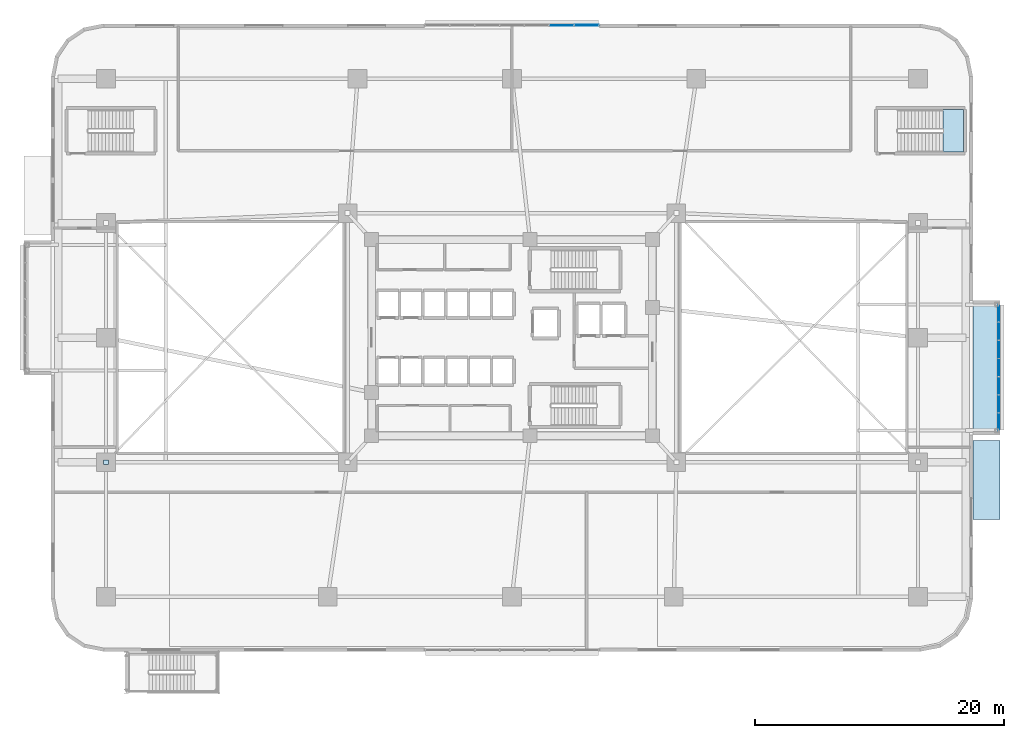
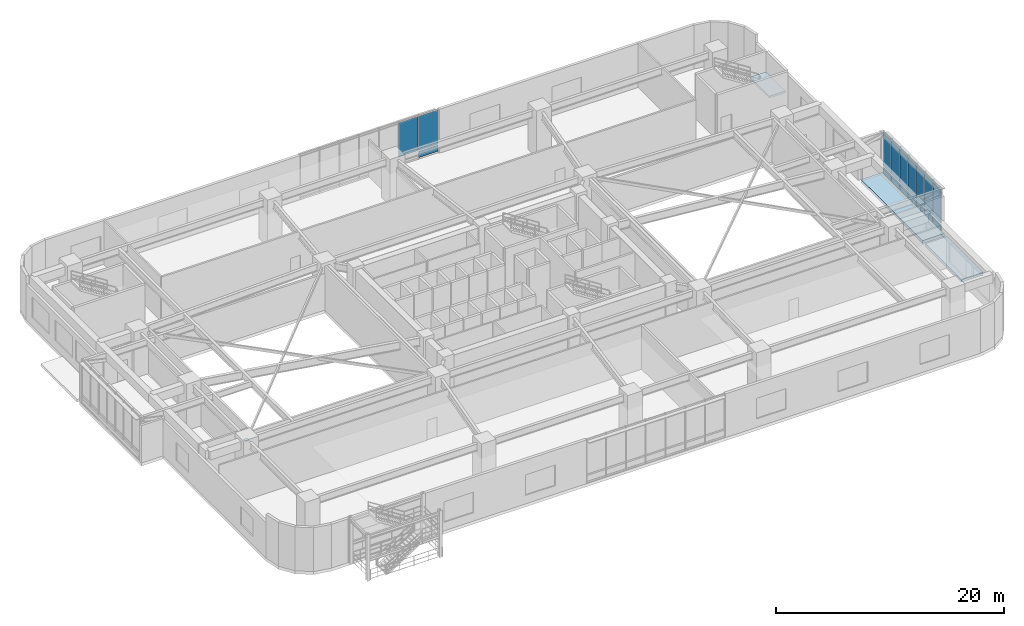
# One storey, part 16 of 26: 18 plates, 3 slabs, 3 elements without a shape of their own.
"""IFC4 building model written with IfcOpenShell, lengths in metres."""

from ifc_helpers import new_model, si_unit, direction, frame, origin, origin_2d, place, context, subcontext, project, spatial, polyline, rectangle, outline, extrude, material, layer, layer_set, type_object, element, aggregate, save


model = new_model("IFC4")

# Units and contexts
model_context = context("Model", 3, precision=1e-05, world=origin(), true_north=direction((0.0, 1.0)))
body_context = subcontext(model_context, "Body", "Model", "MODEL_VIEW")
ifc_project = project(units=[si_unit("LENGTHUNIT", "METRE"), si_unit("AREAUNIT", "SQUARE_METRE"), si_unit("VOLUMEUNIT", "CUBIC_METRE"), si_unit("PLANEANGLEUNIT", "RADIAN"), si_unit("MASSUNIT", "GRAM", prefix="KILO")], contexts=[model_context])

# Site, building, storey
site_placement = place(None, origin())
site = spatial("IfcSite", under=ifc_project, at=site_placement, CompositionType="ELEMENT")
building_placement = place(site_placement, origin())
building = spatial("IfcBuilding", under=site, at=building_placement, Name="Zulverin Broadcast Headquarters", CompositionType="ELEMENT")
storey_placement = place(building_placement, frame((0.0, 0.0, 15.0)))
storey = spatial("IfcBuildingStorey", under=building, at=storey_placement, Name="L03", CompositionType="ELEMENT", Elevation=15.0)

# Curtain wall, plates
ifc_material_1 = material(Name="Pale-metal unitised podium curtain wall", Category="aluminium")
curtain_wall_type_1 = type_object("IfcCurtainWallType", Name="CW-POD", PredefinedType="USERDEFINED", material=ifc_material_1)
curtain_wall_1_placement = place(storey_placement, origin())
curtain_wall_1 = element("IfcCurtainWall", 1, at=curtain_wall_1_placement, inside=storey, type_object=curtain_wall_type_1, Name="L03 Unitised Curtain Wall CW-L03-N2", ObjectType="UNITISED CURTAIN WALL", PredefinedType="USERDEFINED")
ifc_material_2 = material(Name="Low-E double-glazed pale-silver vision glass", Category="glass")
ifc_layer_1 = layer(ifc_material_2, 0.035888671875, Name="Low-E double-glazed pale-silver vision glass", Category="glass")
ifc_layer_set_1 = layer_set([ifc_layer_1], Name="Low-E double-glazed pale-silver vision glass")
plate_type_1 = type_object("IfcPlateType", Name="CW-PNL-GLZ", PredefinedType="CURTAIN_PANEL", material=ifc_layer_set_1)
plate_1_placement = place(storey_placement, frame((43.0, 50.280029296875, 0.9150390625), z_axis=(0.0, 0.0, 1.0), x_axis=(-1.0, 0.0, 0.0)))
plate_1 = element("IfcPlate", 2, at=plate_1_placement, type_object=plate_type_1, Name="CW-L03-N2 Vision Panel 00", PredefinedType="CURTAIN_PANEL", context=body_context, shape_type="SweptSolid", body=[
    extrude(rectangle(XDim=1.9599609375, YDim=0.035888671875, at=origin_2d()), origin(), (0.0, 0.0, 1.0), 3.625),
])
plate_2_placement = place(storey_placement, frame((41.0, 50.280029296875, 0.9150390625), z_axis=(0.0, 0.0, 1.0), x_axis=(-1.0, 0.0, 0.0)))
plate_2 = element("IfcPlate", 3, at=plate_2_placement, type_object=plate_type_1, Name="CW-L03-N2 Vision Panel 01", PredefinedType="CURTAIN_PANEL", context=body_context, shape_type="SweptSolid", body=[
    extrude(rectangle(XDim=1.9599609375, YDim=0.035888671875, at=origin_2d()), origin(), (0.0, 0.0, 1.0), 3.625),
])

ifc_material_3 = material(Name="Acoustic triple-glazed studio box curtain wall", Category="aluminium")
curtain_wall_type_2 = type_object("IfcCurtainWallType", Name="CW-SBOX", PredefinedType="USERDEFINED", material=ifc_material_3)
curtain_wall_2_placement = place(storey_placement, origin())
curtain_wall_2 = element("IfcCurtainWall", 4, at=curtain_wall_2_placement, inside=storey, type_object=curtain_wall_type_2, Name="L03 Unitised Curtain Wall CW-L03-SBOX_POD_UPPER_E1-F", ObjectType="UNITISED CURTAIN WALL", PredefinedType="USERDEFINED")
plate_3_placement = place(storey_placement, frame((76.080078125, 18.44580078125, 0.9150390625), z_axis=(0.0, 0.0, 1.0), x_axis=(0.0, 1.0, 0.0)))
plate_3 = element("IfcPlate", 5, at=plate_3_placement, type_object=plate_type_1, Name="CW-L03-SBOX_POD_UPPER_E1-F Vision Panel 00", PredefinedType="CURTAIN_PANEL", context=body_context, shape_type="SweptSolid", body=[
    extrude(rectangle(XDim=1.411376953125, YDim=0.035888671875, at=origin_2d()), origin(), (0.0, 0.0, 1.0), 3.625),
])
plate_4_placement = place(storey_placement, frame((76.080078125, 19.897216796875, 0.9150390625), z_axis=(0.0, 0.0, 1.0), x_axis=(0.0, 1.0, 0.0)))
plate_4 = element("IfcPlate", 6, at=plate_4_placement, type_object=plate_type_1, Name="CW-L03-SBOX_POD_UPPER_E1-F Vision Panel 01", PredefinedType="CURTAIN_PANEL", context=body_context, shape_type="SweptSolid", body=[
    extrude(rectangle(XDim=1.411376953125, YDim=0.035888671875, at=origin_2d()), origin(), (0.0, 0.0, 1.0), 3.625),
])
plate_5_placement = place(storey_placement, frame((76.080078125, 21.3486328125, 0.9150390625), z_axis=(0.0, 0.0, 1.0), x_axis=(0.0, 1.0, 0.0)))
plate_5 = element("IfcPlate", 7, at=plate_5_placement, type_object=plate_type_1, Name="CW-L03-SBOX_POD_UPPER_E1-F Vision Panel 02", PredefinedType="CURTAIN_PANEL", context=body_context, shape_type="SweptSolid", body=[
    extrude(rectangle(XDim=1.411376953125, YDim=0.035888671875, at=origin_2d()), origin(), (0.0, 0.0, 1.0), 3.625),
])
plate_6_placement = place(storey_placement, frame((76.080078125, 22.800048828125, 0.9150390625), z_axis=(0.0, 0.0, 1.0), x_axis=(0.0, 1.0, 0.0)))
plate_6 = element("IfcPlate", 8, at=plate_6_placement, type_object=plate_type_1, Name="CW-L03-SBOX_POD_UPPER_E1-F Vision Panel 03", PredefinedType="CURTAIN_PANEL", context=body_context, shape_type="SweptSolid", body=[
    extrude(rectangle(XDim=1.411376953125, YDim=0.035888671875, at=origin_2d()), origin(), (0.0, 0.0, 1.0), 3.625),
])
plate_7_placement = place(storey_placement, frame((76.080078125, 24.25146484375, 0.9150390625), z_axis=(0.0, 0.0, 1.0), x_axis=(0.0, 1.0, 0.0)))
plate_7 = element("IfcPlate", 9, at=plate_7_placement, type_object=plate_type_1, Name="CW-L03-SBOX_POD_UPPER_E1-F Vision Panel 04", PredefinedType="CURTAIN_PANEL", context=body_context, shape_type="SweptSolid", body=[
    extrude(rectangle(XDim=1.411376953125, YDim=0.035888671875, at=origin_2d()), origin(), (0.0, 0.0, 1.0), 3.625),
])
plate_8_placement = place(storey_placement, frame((76.080078125, 25.702880859375, 0.9150390625), z_axis=(0.0, 0.0, 1.0), x_axis=(0.0, 1.0, 0.0)))
plate_8 = element("IfcPlate", 10, at=plate_8_placement, type_object=plate_type_1, Name="CW-L03-SBOX_POD_UPPER_E1-F Vision Panel 05", PredefinedType="CURTAIN_PANEL", context=body_context, shape_type="SweptSolid", body=[
    extrude(rectangle(XDim=1.411376953125, YDim=0.035888671875, at=origin_2d()), origin(), (0.0, 0.0, 1.0), 3.625),
])
plate_9_placement = place(storey_placement, frame((76.080078125, 27.154296875, 0.9150390625), z_axis=(0.0, 0.0, 1.0), x_axis=(0.0, 1.0, 0.0)))
plate_9 = element("IfcPlate", 11, at=plate_9_placement, type_object=plate_type_1, Name="CW-L03-SBOX_POD_UPPER_E1-F Vision Panel 06", PredefinedType="CURTAIN_PANEL", context=body_context, shape_type="SweptSolid", body=[
    extrude(rectangle(XDim=1.411376953125, YDim=0.035888671875, at=origin_2d()), origin(), (0.0, 0.0, 1.0), 3.625),
])

# Plate
ifc_material_4 = material(Name="Insulated brushed pale-aluminium spandrel cassette", Category="aluminium")
ifc_layer_2 = layer(ifc_material_4, 0.050048828125, Name="Insulated brushed pale-aluminium spandrel cassette", Category="aluminium")
ifc_layer_set_2 = layer_set([ifc_layer_2], Name="Insulated brushed pale-aluminium spandrel cassette")
plate_type_2 = type_object("IfcPlateType", Name="CW-PNL-SPN", PredefinedType="CURTAIN_PANEL", material=ifc_layer_set_2)
plate_10_placement = place(storey_placement, frame((43.0, 50.280029296875, 0.139892578125), z_axis=(0.0, 0.0, 1.0), x_axis=(-1.0, 0.0, 0.0)))
plate_10 = element("IfcPlate", 12, at=plate_10_placement, type_object=plate_type_2, Name="CW-L03-N2 Spandrel Cassette 00", PredefinedType="CURTAIN_PANEL", context=body_context, shape_type="SweptSolid", body=[
    extrude(rectangle(XDim=1.9599609375, YDim=0.050048828125, at=origin_2d()), origin(), (0.0, 0.0, 1.0), 0.64501953125),
])

aggregate(curtain_wall_1, [plate_10, plate_1, plate_2])

plate_11_placement = place(storey_placement, frame((76.080078125, 18.44580078125, 0.139892578125), z_axis=(0.0, 0.0, 1.0), x_axis=(0.0, 1.0, 0.0)))
plate_11 = element("IfcPlate", 13, at=plate_11_placement, type_object=plate_type_2, Name="CW-L03-SBOX_POD_UPPER_E1-F Spandrel Cassette 00", PredefinedType="CURTAIN_PANEL", context=body_context, shape_type="SweptSolid", body=[
    extrude(rectangle(XDim=1.411376953125, YDim=0.050048828125, at=origin_2d()), origin(), (0.0, 0.0, 1.0), 0.64501953125),
])

plate_12_placement = place(storey_placement, frame((76.080078125, 19.897216796875, 0.139892578125), z_axis=(0.0, 0.0, 1.0), x_axis=(0.0, 1.0, 0.0)))
plate_12 = element("IfcPlate", 14, at=plate_12_placement, type_object=plate_type_2, Name="CW-L03-SBOX_POD_UPPER_E1-F Spandrel Cassette 01", PredefinedType="CURTAIN_PANEL", context=body_context, shape_type="SweptSolid", body=[
    extrude(rectangle(XDim=1.411376953125, YDim=0.050048828125, at=origin_2d()), origin(), (0.0, 0.0, 1.0), 0.64501953125),
])

plate_13_placement = place(storey_placement, frame((76.080078125, 21.3486328125, 0.139892578125), z_axis=(0.0, 0.0, 1.0), x_axis=(0.0, 1.0, 0.0)))
plate_13 = element("IfcPlate", 15, at=plate_13_placement, type_object=plate_type_2, Name="CW-L03-SBOX_POD_UPPER_E1-F Spandrel Cassette 02", PredefinedType="CURTAIN_PANEL", context=body_context, shape_type="SweptSolid", body=[
    extrude(rectangle(XDim=1.411376953125, YDim=0.050048828125, at=origin_2d()), origin(), (0.0, 0.0, 1.0), 0.64501953125),
])

plate_14_placement = place(storey_placement, frame((76.080078125, 22.800048828125, 0.139892578125), z_axis=(0.0, 0.0, 1.0), x_axis=(0.0, 1.0, 0.0)))
plate_14 = element("IfcPlate", 16, at=plate_14_placement, type_object=plate_type_2, Name="CW-L03-SBOX_POD_UPPER_E1-F Spandrel Cassette 03", PredefinedType="CURTAIN_PANEL", context=body_context, shape_type="SweptSolid", body=[
    extrude(rectangle(XDim=1.411376953125, YDim=0.050048828125, at=origin_2d()), origin(), (0.0, 0.0, 1.0), 0.64501953125),
])

plate_15_placement = place(storey_placement, frame((76.080078125, 24.25146484375, 0.139892578125), z_axis=(0.0, 0.0, 1.0), x_axis=(0.0, 1.0, 0.0)))
plate_15 = element("IfcPlate", 17, at=plate_15_placement, type_object=plate_type_2, Name="CW-L03-SBOX_POD_UPPER_E1-F Spandrel Cassette 04", PredefinedType="CURTAIN_PANEL", context=body_context, shape_type="SweptSolid", body=[
    extrude(rectangle(XDim=1.411376953125, YDim=0.050048828125, at=origin_2d()), origin(), (0.0, 0.0, 1.0), 0.64501953125),
])

plate_16_placement = place(storey_placement, frame((76.080078125, 25.702880859375, 0.139892578125), z_axis=(0.0, 0.0, 1.0), x_axis=(0.0, 1.0, 0.0)))
plate_16 = element("IfcPlate", 18, at=plate_16_placement, type_object=plate_type_2, Name="CW-L03-SBOX_POD_UPPER_E1-F Spandrel Cassette 05", PredefinedType="CURTAIN_PANEL", context=body_context, shape_type="SweptSolid", body=[
    extrude(rectangle(XDim=1.411376953125, YDim=0.050048828125, at=origin_2d()), origin(), (0.0, 0.0, 1.0), 0.64501953125),
])

plate_17_placement = place(storey_placement, frame((76.080078125, 27.154296875, 0.139892578125), z_axis=(0.0, 0.0, 1.0), x_axis=(0.0, 1.0, 0.0)))
plate_17 = element("IfcPlate", 19, at=plate_17_placement, type_object=plate_type_2, Name="CW-L03-SBOX_POD_UPPER_E1-F Spandrel Cassette 06", PredefinedType="CURTAIN_PANEL", context=body_context, shape_type="SweptSolid", body=[
    extrude(rectangle(XDim=1.411376953125, YDim=0.050048828125, at=origin_2d()), origin(), (0.0, 0.0, 1.0), 0.64501953125),
])

aggregate(curtain_wall_2, [plate_11, plate_3, plate_12, plate_4, plate_13, plate_5, plate_14, plate_6, plate_15, plate_7, plate_16, plate_8, plate_17, plate_9])

ifc_material_5 = material(Name="Structural steel S355JR", Category="steel")
ifc_layer_3 = layer(ifc_material_5, 0.030029296875, Name="Structural steel S355JR", Category="steel")
ifc_layer_set_3 = layer_set([ifc_layer_3], Name="Structural steel S355JR")
plate_type_3 = type_object("IfcPlateType", Name="PLT-NODE-SBN2", PredefinedType="SHEET", material=ifc_layer_set_3)
plate_18_placement = place(storey_placement, frame((4.39990234375, 15.199951171875, 4.4150390625), z_axis=(0.0, 0.0, 1.0), x_axis=(1.0, 0.0, 0.0)))
element("IfcPlate", 20, at=plate_18_placement, inside=storey, type_object=plate_type_3, Name="SBN-2 Studio Strut Plate L03-1A", PredefinedType="SHEET", context=body_context, shape_type="SweptSolid", body=[
    extrude(rectangle(XDim=0.3798828125, YDim=0.3798828125, at=origin_2d()), origin(), (0.0, 0.0, 1.0), 0.030029296875),
])

# Slabs
ifc_material_6 = material(Name="Concrete C40/50", Category="concrete")
ifc_layer_4 = layer(ifc_material_6, 0.300048828125, Name="Concrete C40/50", Category="concrete")
ifc_layer_set_4 = layer_set([ifc_layer_4], Name="Concrete C40/50")
slab_type_1 = type_object("IfcSlabType", Name="SLB-POD-300", PredefinedType="FLOOR", material=ifc_layer_set_4)
slab_1_placement = place(storey_placement, frame((0.0, 0.0, -0.320068359375)))
element("IfcSlab", 21, at=slab_1_placement, inside=storey, type_object=slab_type_1, Name="L03 Shifted Studio Box Acoustic Closure Slab SBOX_POD_LOWER_E1", PredefinedType="FLOOR", context=body_context, shape_type="SweptSolid", body=[
    extrude(outline(polyline([(74.0, 16.951904296875), (74.0, 10.60009765625), (76.199951171875, 10.60009765625), (76.199951171875, 16.951904296875), (74.0, 16.951904296875)])), origin(), (0.0, 0.0, 1.0), 0.300048828125),
])
ifc_layer_5 = layer(ifc_material_6, 0.320068359375, Name="Concrete C40/50", Category="concrete")
ifc_layer_set_5 = layer_set([ifc_layer_5], Name="Concrete C40/50")
slab_type_2 = type_object("IfcSlabType", Name="SLB-POD-320", PredefinedType="FLOOR", material=ifc_layer_set_5)
slab_2_placement = place(storey_placement, frame((0.0, 0.0, -0.320068359375)))
element("IfcSlab", 22, at=slab_2_placement, inside=storey, type_object=slab_type_2, Name="L03 Shifted Broadcast Studio Box Floor Slab SBOX_POD_UPPER_E1", PredefinedType="FLOOR", context=body_context, shape_type="SweptSolid", body=[
    extrude(outline(polyline([(74.0, 17.39990234375), (76.199951171875, 17.39990234375), (76.199951171875, 28.199951171875), (74.0, 28.199951171875), (74.0, 17.39990234375)])), origin(), (0.0, 0.0, 1.0), 0.320068359375),
])

# Stair, slab
stair_type = type_object("IfcStairType", Name="ST-POD-1600", PredefinedType="HALF_TURN_STAIR", material=ifc_material_6)
stair_placement = place(storey_placement, origin())
stair = element("IfcStair", 23, at=stair_placement, inside=storey, type_object=stair_type, Name="L03 Podium Exit Stair ST-4", PredefinedType="HALF_TURN_STAIR")
ifc_layer_6 = layer(ifc_material_6, 0.199951171875, Name="Concrete C40/50", Category="concrete")
ifc_layer_set_6 = layer_set([ifc_layer_6], Name="Concrete C40/50")
slab_type_3 = type_object("IfcSlabType", Name="SLB-ST-LND200", PredefinedType="LANDING", material=ifc_layer_set_6)
slab_3_placement = place(storey_placement, frame((0.0, 0.0, 2.300048828125)))
slab_3 = element("IfcSlab", 24, at=slab_3_placement, type_object=slab_type_3, Name="ST-4 landing 1", PredefinedType="LANDING", context=body_context, shape_type="SweptSolid", body=[
    extrude(outline(polyline([(71.610107421875, 40.10009765625), (73.25, 40.10009765625), (73.25, 43.5), (71.610107421875, 43.5), (71.610107421875, 40.10009765625)])), origin(), (0.0, 0.0, 1.0), 0.199951171875),
])
aggregate(stair, [slab_3])

save(model, "model.ifc")
